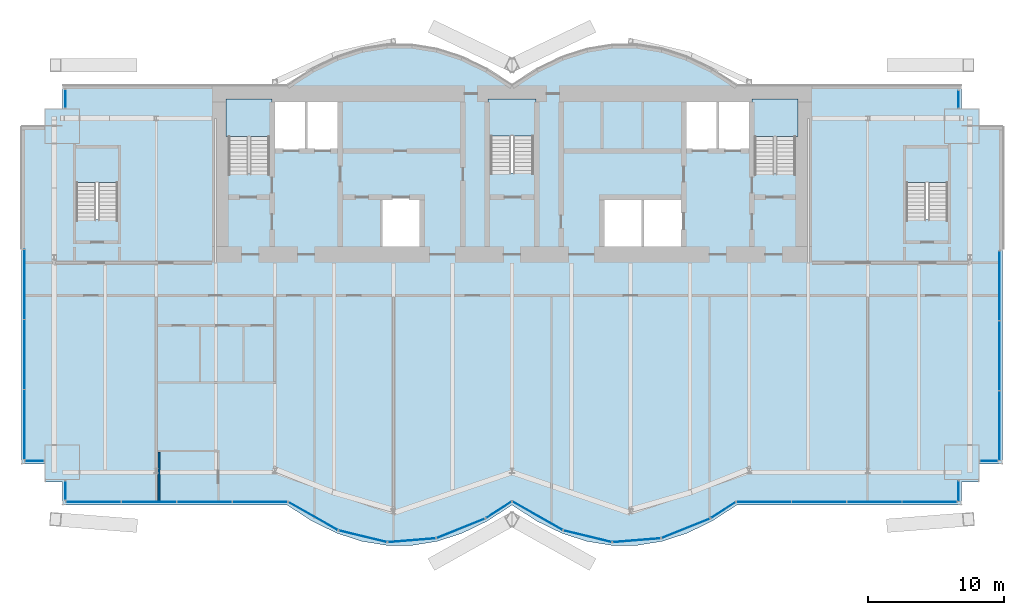
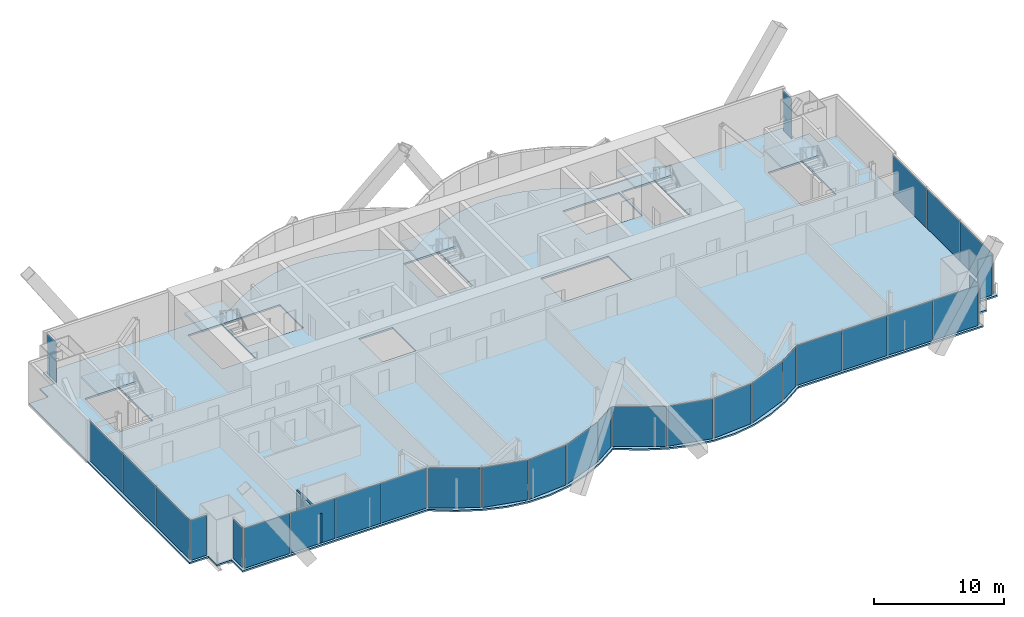
# One storey, part 13 of 20: 30 plates, 6 slabs, 1 wall, 17 elements without a shape of their own.
"""IFC4 building model written with IfcOpenShell, lengths in metres."""

from ifc_helpers import new_model, si_unit, direction, frame, frame_2d, origin, origin_2d, place, context, subcontext, project, spatial, polyline, rectangle, outline, extrude, material, layer, layer_set, type_object, element, aggregate, save


model = new_model("IFC4")

# Units and contexts
model_context = context("Model", 3, precision=1e-05, world=origin(), true_north=direction((0.0, 1.0)))
body_context = subcontext(model_context, "Body", "Model", "MODEL_VIEW")
ifc_project = project(units=[si_unit("LENGTHUNIT", "METRE"), si_unit("AREAUNIT", "SQUARE_METRE"), si_unit("VOLUMEUNIT", "CUBIC_METRE"), si_unit("PLANEANGLEUNIT", "RADIAN"), si_unit("MASSUNIT", "GRAM", prefix="KILO")], contexts=[model_context])

# Site, building, storey
site_placement = place(None, origin())
site = spatial("IfcSite", under=ifc_project, at=site_placement, CompositionType="ELEMENT")
building_placement = place(site_placement, origin())
building = spatial("IfcBuilding", under=site, at=building_placement, Name="Bicima Exchange Tower", CompositionType="ELEMENT")
storey_placement = place(building_placement, frame((0.0, 0.0, 231.89990234375)))
storey = spatial("IfcBuildingStorey", under=building, at=storey_placement, Name="L52", CompositionType="ELEMENT", Elevation=231.89990234375)

# Slab
ifc_material_1 = material(Name="Concrete C40/50", Category="concrete")
ifc_layer_1 = layer(ifc_material_1, 0.14990234375)
ifc_layer_set_1 = layer_set([ifc_layer_1], Name="Concrete C40/50")
slab_type_1 = type_object("IfcSlabType", Name="Composite floor slab 150", PredefinedType="FLOOR", material=ifc_layer_set_1)
slab_1_placement = place(storey_placement, frame((0.0, 0.0, -0.14990234375)))
element("IfcSlab", 1, at=slab_1_placement, inside=storey, type_object=slab_type_1, Name="Floor slab", PredefinedType="FLOOR", context=body_context, shape_type="SweptSolid", body=[
    extrude(outline(polyline([(-36.0, -27.77587890625), (-36.0, -3.0), (-34.300048828125, -3.0), (-34.300048828125, -1.699951171875), (-33.0, -1.699951171875), (-33.0, 0.0), (-16.5, 0.0), (-14.666748046875, 1.185302734375), (-12.833251953125, 2.07421875), (-11.0, 2.666748046875), (-9.166748046875, 2.962890625), (-7.333251953125, 2.962890625), (-5.5, 2.666748046875), (-3.666748046875, 2.07421875), (-1.833251953125, 1.185302734375), (0.0, 0.0), (1.833251953125, 1.185302734375), (3.666748046875, 2.07421875), (5.5, 2.666748046875), (7.333251953125, 2.962890625), (9.166748046875, 2.962890625), (11.0, 2.666748046875), (12.833251953125, 2.07421875), (14.666748046875, 1.185302734375), (16.5, 0.0), (33.0, 0.0), (33.0, -1.699951171875), (34.300048828125, -1.699951171875), (34.300048828125, -3.0), (36.0, -3.0), (36.0, -27.77587890625), (34.300048828125, -27.77587890625), (34.300048828125, -29.075927734375), (33.0, -29.075927734375), (33.0, -30.77587890625), (16.5, -30.77587890625), (14.666748046875, -31.961181640625), (12.833251953125, -32.85009765625), (11.0, -33.442626953125), (9.166748046875, -33.739013671875), (7.333251953125, -33.739013671875), (5.5, -33.442626953125), (3.666748046875, -32.85009765625), (1.833251953125, -31.961181640625), (0.0, -30.77587890625), (-1.833251953125, -31.961181640625), (-3.666748046875, -32.85009765625), (-5.5, -33.442626953125), (-7.333251953125, -33.739013671875), (-9.166748046875, -33.739013671875), (-11.0, -33.442626953125), (-12.833251953125, -32.85009765625), (-14.666748046875, -31.961181640625), (-16.5, -30.77587890625), (-33.0, -30.77587890625), (-33.0, -29.075927734375), (-34.300048828125, -29.075927734375), (-34.300048828125, -27.77587890625), (-36.0, -27.77587890625)]), holes=[polyline([(-6.60009765625, -11.800048828125), (-6.60009765625, -8.199951171875), (-9.60009765625, -8.199951171875), (-9.60009765625, -11.800048828125), (-6.60009765625, -11.800048828125)]), polyline([(-31.97509765625, -9.824951171875), (-28.925048828125, -9.824951171875), (-28.925048828125, -4.625), (-31.97509765625, -4.625), (-31.97509765625, -9.824951171875)]), polyline([(-20.800048828125, -6.449951171875), (-17.800048828125, -6.449951171875), (-17.800048828125, -1.199951171875), (-20.800048828125, -1.199951171875), (-20.800048828125, -6.449951171875)]), polyline([(1.574951171875, -6.39990234375), (1.574951171875, -1.199951171875), (-1.574951171875, -1.199951171875), (-1.574951171875, -6.39990234375), (1.574951171875, -6.39990234375)]), polyline([(-12.60009765625, -4.800048828125), (-12.60009765625, -1.199951171875), (-15.10009765625, -1.199951171875), (-17.60009765625, -1.199951171875), (-17.60009765625, -4.800048828125), (-15.10009765625, -4.800048828125), (-12.60009765625, -4.800048828125)]), polyline([(12.60009765625, -8.199951171875), (9.60009765625, -8.199951171875), (6.60009765625, -8.199951171875), (6.60009765625, -11.800048828125), (9.60009765625, -11.800048828125), (12.60009765625, -11.800048828125), (12.60009765625, -8.199951171875)]), polyline([(28.925048828125, -9.824951171875), (31.97509765625, -9.824951171875), (31.97509765625, -4.625), (28.925048828125, -4.625), (28.925048828125, -9.824951171875)]), polyline([(20.800048828125, -6.449951171875), (20.800048828125, -1.199951171875), (17.800048828125, -1.199951171875), (17.800048828125, -6.449951171875), (20.800048828125, -6.449951171875)]), polyline([(17.60009765625, -4.800048828125), (17.60009765625, -1.199951171875), (15.10009765625, -1.199951171875), (12.60009765625, -1.199951171875), (12.60009765625, -4.800048828125), (15.10009765625, -4.800048828125), (17.60009765625, -4.800048828125)])]), origin(), (0.0, 0.0, 1.0), 0.14990234375),
])

# Curtain wall, plates
ifc_material_2 = material(Name="Anodised bronze aluminium", Category="aluminium")
curtain_wall_type_1 = type_object("IfcCurtainWallType", Name="End face glass wall", PredefinedType="NOTDEFINED", material=ifc_material_2)
curtain_wall_1_placement = place(storey_placement, origin())
curtain_wall_1 = element("IfcCurtainWall", 2, at=curtain_wall_1_placement, inside=storey, type_object=curtain_wall_type_1, Name="End face glass wall L52 run 2", PredefinedType="NOTDEFINED")
ifc_material_3 = material(Name="Bronze tinted glass", Category="glass")
ifc_layer_2 = layer(ifc_material_3, 0.031982421875)
ifc_layer_set_2 = layer_set([ifc_layer_2], Name="Bronze tinted glass")
plate_type_1 = type_object("IfcPlateType", Name="End face glass wall glass panel 32", PredefinedType="CURTAIN_PANEL", material=ifc_layer_set_2)
plate_1_placement = place(storey_placement, frame((-35.77001953125, -14.59765625, 0.0), z_axis=(0.0, 0.0, 1.0), x_axis=(0.0, -1.0, 0.0)))
plate_1 = element("IfcPlate", 3, at=plate_1_placement, type_object=plate_type_1, Name="End face glass wall panel 1.1", PredefinedType="CURTAIN_PANEL", context=body_context, shape_type="SweptSolid", body=[
    extrude(rectangle(XDim=5.0751953125, YDim=0.031982421875, at=origin_2d()), origin(), (0.0, 0.0, 1.0), 3.760009765625),
])
plate_2_placement = place(storey_placement, frame((-35.77001953125, -19.73291015625, 0.0), z_axis=(0.0, 0.0, 1.0), x_axis=(0.0, -1.0, 0.0)))
plate_2 = element("IfcPlate", 4, at=plate_2_placement, type_object=plate_type_1, Name="End face glass wall panel 2.1", PredefinedType="CURTAIN_PANEL", context=body_context, shape_type="SweptSolid", body=[
    extrude(rectangle(XDim=5.0751953125, YDim=0.031982421875, at=origin_2d()), origin(), (0.0, 0.0, 1.0), 3.760009765625),
])

curtain_wall_2_placement = place(storey_placement, origin())
curtain_wall_2 = element("IfcCurtainWall", 5, at=curtain_wall_2_placement, inside=storey, type_object=curtain_wall_type_1, Name="End face glass wall L52 run 19", PredefinedType="NOTDEFINED")
plate_3_placement = place(storey_placement, frame((35.77001953125, -19.81298828125, 0.0), z_axis=(0.0, 0.0, 1.0), x_axis=(0.0, 1.0, 0.0)))
plate_3 = element("IfcPlate", 6, at=plate_3_placement, type_object=plate_type_1, Name="End face glass wall panel 2.1", PredefinedType="CURTAIN_PANEL", context=body_context, shape_type="SweptSolid", body=[
    extrude(rectangle(XDim=5.0751953125, YDim=0.031982421875, at=origin_2d()), origin(), (0.0, 0.0, 1.0), 3.760009765625),
])
plate_4_placement = place(storey_placement, frame((35.77001953125, -14.677734375, 0.0), z_axis=(0.0, 0.0, 1.0), x_axis=(0.0, 1.0, 0.0)))
plate_4 = element("IfcPlate", 7, at=plate_4_placement, type_object=plate_type_1, Name="End face glass wall panel 3.1", PredefinedType="CURTAIN_PANEL", context=body_context, shape_type="SweptSolid", body=[
    extrude(rectangle(XDim=5.0751953125, YDim=0.031982421875, at=origin_2d()), origin(), (0.0, 0.0, 1.0), 3.760009765625),
])

# Plate
ifc_material_4 = material(Name="Bronze anodised aluminium", Category="aluminium")
ifc_layer_3 = layer(ifc_material_4, 0.031982421875)
ifc_layer_set_3 = layer_set([ifc_layer_3], Name="Bronze anodised aluminium")
plate_type_2 = type_object("IfcPlateType", Name="End face glass wall spandrel panel 32", PredefinedType="CURTAIN_PANEL", material=ifc_layer_set_3)
plate_5_placement = place(storey_placement, frame((-35.77001953125, -24.868408203125, 0.0), z_axis=(0.0, 0.0, 1.0), x_axis=(0.0, -1.0, 0.0)))
plate_5 = element("IfcPlate", 8, at=plate_5_placement, type_object=plate_type_2, Name="End face spandrel wall panel 3.1", PredefinedType="CURTAIN_PANEL", context=body_context, shape_type="SweptSolid", body=[
    extrude(rectangle(XDim=5.0751953125, YDim=0.031982421875, at=origin_2d()), origin(), (0.0, 0.0, 1.0), 3.760009765625),
])

aggregate(curtain_wall_1, [plate_1, plate_2, plate_5])

plate_6_placement = place(storey_placement, frame((35.77001953125, -24.9482421875, 0.0), z_axis=(0.0, 0.0, 1.0), x_axis=(0.0, 1.0, 0.0)))
plate_6 = element("IfcPlate", 9, at=plate_6_placement, type_object=plate_type_2, Name="End face spandrel wall panel 1.1", PredefinedType="CURTAIN_PANEL", context=body_context, shape_type="SweptSolid", body=[
    extrude(rectangle(XDim=5.0751953125, YDim=0.031982421875, at=origin_2d()), origin(), (0.0, 0.0, 1.0), 3.760009765625),
])

aggregate(curtain_wall_2, [plate_6, plate_3, plate_4])

# Curtain wall, plate
curtain_wall_type_2 = type_object("IfcCurtainWallType", Name="Front glass wall", PredefinedType="NOTDEFINED", material=ifc_material_2)
curtain_wall_3_placement = place(storey_placement, origin())
curtain_wall_3 = element("IfcCurtainWall", 10, at=curtain_wall_3_placement, inside=storey, type_object=curtain_wall_type_2, Name="Front glass wall L52 run 1", PredefinedType="NOTDEFINED")
ifc_layer_4 = layer(ifc_material_3, 0.031982421875)
ifc_layer_set_4 = layer_set([ifc_layer_4], Name="Bronze tinted glass")
plate_type_3 = type_object("IfcPlateType", Name="Front glass wall glass panel 32", PredefinedType="CURTAIN_PANEL", material=ifc_layer_set_4)
plate_7_placement = place(storey_placement, frame((-32.77001953125, -0.965087890625, 0.0), z_axis=(0.0, 0.0, 1.0), x_axis=(0.0, -1.0, 0.0)))
plate_7 = element("IfcPlate", 11, at=plate_7_placement, type_object=plate_type_3, Name="Front glass wall panel 1.1", PredefinedType="CURTAIN_PANEL", context=body_context, shape_type="SweptSolid", body=[
    extrude(rectangle(XDim=1.35009765625, YDim=0.031982421875, at=origin_2d()), origin(), (0.0, 0.0, 1.0), 3.760009765625),
])
aggregate(curtain_wall_3, [plate_7])

curtain_wall_4_placement = place(storey_placement, origin())
curtain_wall_4 = element("IfcCurtainWall", 12, at=curtain_wall_4_placement, inside=storey, type_object=curtain_wall_type_2, Name="Front glass wall L52 run 3", PredefinedType="NOTDEFINED")
plate_8_placement = place(storey_placement, frame((-35.034912109375, -27.5458984375, 0.0), z_axis=(0.0, 0.0, 1.0), x_axis=(1.0, 0.0, 0.0)))
plate_8 = element("IfcPlate", 13, at=plate_8_placement, type_object=plate_type_3, Name="Front glass wall panel 1.1", PredefinedType="CURTAIN_PANEL", context=body_context, shape_type="SweptSolid", body=[
    extrude(rectangle(XDim=1.35009765625, YDim=0.031982421875, at=origin_2d()), origin(), (0.0, 0.0, 1.0), 3.760009765625),
])
aggregate(curtain_wall_4, [plate_8])

curtain_wall_5_placement = place(storey_placement, origin())
curtain_wall_5 = element("IfcCurtainWall", 14, at=curtain_wall_5_placement, inside=storey, type_object=curtain_wall_type_2, Name="Front glass wall L52 run 4", PredefinedType="NOTDEFINED")
plate_9_placement = place(storey_placement, frame((-32.77001953125, -29.7099609375, 0.0), z_axis=(0.0, 0.0, 1.0), x_axis=(0.0, -1.0, 0.0)))
plate_9 = element("IfcPlate", 15, at=plate_9_placement, type_object=plate_type_3, Name="Front glass wall panel 1.1", PredefinedType="CURTAIN_PANEL", context=body_context, shape_type="SweptSolid", body=[
    extrude(rectangle(XDim=1.39208984375, YDim=0.031982421875, at=origin_2d()), origin(), (0.0, 0.0, 1.0), 3.760009765625),
])
aggregate(curtain_wall_5, [plate_9])

# Curtain wall, plates
curtain_wall_6_placement = place(storey_placement, origin())
curtain_wall_6 = element("IfcCurtainWall", 16, at=curtain_wall_6_placement, inside=storey, type_object=curtain_wall_type_2, Name="Front glass wall L52 run 5", PredefinedType="NOTDEFINED")
plate_10_placement = place(storey_placement, frame((-22.56640625, -30.5458984375, 0.0), z_axis=(0.0, 0.0, 1.0), x_axis=(1.0, 0.0, 0.0)))
plate_10 = element("IfcPlate", 17, at=plate_10_placement, type_object=plate_type_3, Name="Front glass wall panel 3.1", PredefinedType="CURTAIN_PANEL", context=body_context, shape_type="SweptSolid", body=[
    extrude(rectangle(XDim=4.009521484375, YDim=0.031982421875, at=origin_2d()), origin(), (0.0, 0.0, 1.0), 3.760009765625),
])
plate_11_placement = place(storey_placement, frame((-18.496826171875, -30.5458984375, 0.0), z_axis=(0.0, 0.0, 1.0), x_axis=(1.0, 0.0, 0.0)))
plate_11 = element("IfcPlate", 18, at=plate_11_placement, type_object=plate_type_3, Name="Front glass wall panel 4.1", PredefinedType="CURTAIN_PANEL", context=body_context, shape_type="SweptSolid", body=[
    extrude(rectangle(XDim=4.009521484375, YDim=0.031982421875, at=origin_2d()), origin(), (0.0, 0.0, 1.0), 3.760009765625),
])

curtain_wall_7_placement = place(storey_placement, origin())
curtain_wall_7 = element("IfcCurtainWall", 19, at=curtain_wall_7_placement, inside=storey, type_object=curtain_wall_type_2, Name="Front glass wall L52 run 6", PredefinedType="NOTDEFINED")
plate_12_placement = place(storey_placement, frame((-14.589599609375, -31.591064453125, 0.0), z_axis=(0.0, 0.0, 1.0), x_axis=(0.869805110681, -0.493395449343, 0.0)))
plate_12 = element("IfcPlate", 20, at=plate_12_placement, type_object=plate_type_3, Name="Front glass wall panel 1.1", PredefinedType="CURTAIN_PANEL", context=body_context, shape_type="SweptSolid", body=[
    extrude(rectangle(XDim=4.1162109375, YDim=0.031982421875, at=origin_2d()), origin(), (0.0, 0.0, 1.0), 3.760009765625),
])
plate_13_placement = place(storey_placement, frame((-10.94775390625, -33.072509765625, 0.0), z_axis=(0.0, 0.0, 1.0), x_axis=(0.971830343553, -0.235681529503, 0.0)))
plate_13 = element("IfcPlate", 21, at=plate_13_placement, type_object=plate_type_3, Name="Front glass wall panel 1.1", PredefinedType="CURTAIN_PANEL", context=body_context, shape_type="SweptSolid", body=[
    extrude(rectangle(XDim=3.583251953125, YDim=0.031982421875, at=origin_2d()), origin(), (0.0, 0.0, 1.0), 3.760009765625),
])
plate_14_placement = place(storey_placement, frame((-0.97314453125, -31.131103515625, 0.0), z_axis=(0.0, 0.0, 1.0), x_axis=(0.839798994301, 0.542897457326, 0.0)))
plate_14 = element("IfcPlate", 22, at=plate_14_placement, type_object=plate_type_3, Name="Front glass wall panel 1.1", PredefinedType="CURTAIN_PANEL", context=body_context, shape_type="SweptSolid", body=[
    extrude(rectangle(XDim=2.197509765625, YDim=0.031982421875, at=origin_2d()), origin(), (0.0, 0.0, 1.0), 3.760009765625),
])

curtain_wall_8_placement = place(storey_placement, origin())
curtain_wall_8 = element("IfcCurtainWall", 23, at=curtain_wall_8_placement, inside=storey, type_object=curtain_wall_type_2, Name="Front glass wall L52 run 11", PredefinedType="NOTDEFINED")
plate_15_placement = place(storey_placement, frame((9.14892578125, -33.36376953125, 0.0), z_axis=(0.0, 0.0, 1.0), x_axis=(0.99674744821, 0.080588612633, 0.0)))
plate_15 = element("IfcPlate", 24, at=plate_15_placement, type_object=plate_type_3, Name="Front glass wall panel 1.1", PredefinedType="CURTAIN_PANEL", context=body_context, shape_type="SweptSolid", body=[
    extrude(rectangle(XDim=3.486083984375, YDim=0.031982421875, at=origin_2d()), origin(), (0.0, 0.0, 1.0), 3.760009765625),
])
plate_16_placement = place(storey_placement, frame((12.749755859375, -32.489501953125, 0.0), z_axis=(0.0, 0.0, 1.0), x_axis=(0.92714396679, 0.374705304, 0.0)))
plate_16 = element("IfcPlate", 25, at=plate_16_placement, type_object=plate_type_3, Name="Front glass wall panel 1.1", PredefinedType="CURTAIN_PANEL", context=body_context, shape_type="SweptSolid", body=[
    extrude(rectangle(XDim=3.771240234375, YDim=0.031982421875, at=origin_2d()), origin(), (0.0, 0.0, 1.0), 3.760009765625),
])
plate_17_placement = place(storey_placement, frame((15.492919921875, -31.1533203125, 0.0), z_axis=(0.0, 0.0, 1.0), x_axis=(0.839791413941, 0.542909183079, 0.0)))
plate_17 = element("IfcPlate", 26, at=plate_17_placement, type_object=plate_type_3, Name="Front glass wall panel 1.1", PredefinedType="CURTAIN_PANEL", context=body_context, shape_type="SweptSolid", body=[
    extrude(rectangle(XDim=2.11669921875, YDim=0.031982421875, at=origin_2d()), origin(), (0.0, 0.0, 1.0), 3.760009765625),
])

curtain_wall_9_placement = place(storey_placement, origin())
curtain_wall_9 = element("IfcCurtainWall", 27, at=curtain_wall_9_placement, inside=storey, type_object=curtain_wall_type_2, Name="Front glass wall L52 run 16", PredefinedType="NOTDEFINED")
plate_18_placement = place(storey_placement, frame((18.48681640625, -30.5458984375, 0.0), z_axis=(0.0, 0.0, 1.0), x_axis=(1.0, 0.0, 0.0)))
plate_18 = element("IfcPlate", 28, at=plate_18_placement, type_object=plate_type_3, Name="Front glass wall panel 1.1", PredefinedType="CURTAIN_PANEL", context=body_context, shape_type="SweptSolid", body=[
    extrude(rectangle(XDim=3.989501953125, YDim=0.031982421875, at=origin_2d()), origin(), (0.0, 0.0, 1.0), 3.760009765625),
])
plate_19_placement = place(storey_placement, frame((22.536376953125, -30.5458984375, 0.0), z_axis=(0.0, 0.0, 1.0), x_axis=(1.0, 0.0, 0.0)))
plate_19 = element("IfcPlate", 29, at=plate_19_placement, type_object=plate_type_3, Name="Front glass wall panel 2.1", PredefinedType="CURTAIN_PANEL", context=body_context, shape_type="SweptSolid", body=[
    extrude(rectangle(XDim=3.989501953125, YDim=0.031982421875, at=origin_2d()), origin(), (0.0, 0.0, 1.0), 3.760009765625),
])

# Curtain wall, plate
curtain_wall_10_placement = place(storey_placement, origin())
curtain_wall_10 = element("IfcCurtainWall", 30, at=curtain_wall_10_placement, inside=storey, type_object=curtain_wall_type_2, Name="Front glass wall L52 run 17", PredefinedType="NOTDEFINED")
plate_20_placement = place(storey_placement, frame((32.77001953125, -29.75, 0.0), z_axis=(0.0, 0.0, 1.0), x_axis=(0.0, 1.0, 0.0)))
plate_20 = element("IfcPlate", 31, at=plate_20_placement, type_object=plate_type_3, Name="Front glass wall panel 1.1", PredefinedType="CURTAIN_PANEL", context=body_context, shape_type="SweptSolid", body=[
    extrude(rectangle(XDim=1.471923828125, YDim=0.031982421875, at=origin_2d()), origin(), (0.0, 0.0, 1.0), 3.760009765625),
])
aggregate(curtain_wall_10, [plate_20])

curtain_wall_11_placement = place(storey_placement, origin())
curtain_wall_11 = element("IfcCurtainWall", 32, at=curtain_wall_11_placement, inside=storey, type_object=curtain_wall_type_2, Name="Front glass wall L52 run 18", PredefinedType="NOTDEFINED")
plate_21_placement = place(storey_placement, frame((34.9951171875, -27.5458984375, 0.0), z_axis=(0.0, 0.0, 1.0), x_axis=(1.0, 0.0, 0.0)))
plate_21 = element("IfcPlate", 33, at=plate_21_placement, type_object=plate_type_3, Name="Front glass wall panel 1.1", PredefinedType="CURTAIN_PANEL", context=body_context, shape_type="SweptSolid", body=[
    extrude(rectangle(XDim=1.27001953125, YDim=0.031982421875, at=origin_2d()), origin(), (0.0, 0.0, 1.0), 3.760009765625),
])
aggregate(curtain_wall_11, [plate_21])

curtain_wall_12_placement = place(storey_placement, origin())
curtain_wall_12 = element("IfcCurtainWall", 34, at=curtain_wall_12_placement, inside=storey, type_object=curtain_wall_type_2, Name="Front glass wall L52 run 20", PredefinedType="NOTDEFINED")
plate_22_placement = place(storey_placement, frame((32.77001953125, -1.0048828125, 0.0), z_axis=(0.0, 0.0, 1.0), x_axis=(0.0, 1.0, 0.0)))
plate_22 = element("IfcPlate", 35, at=plate_22_placement, type_object=plate_type_3, Name="Front glass wall panel 1.1", PredefinedType="CURTAIN_PANEL", context=body_context, shape_type="SweptSolid", body=[
    extrude(rectangle(XDim=1.27001953125, YDim=0.031982421875, at=origin_2d()), origin(), (0.0, 0.0, 1.0), 3.760009765625),
])
aggregate(curtain_wall_12, [plate_22])

# Plate
ifc_layer_5 = layer(ifc_material_4, 0.031982421875)
ifc_layer_set_5 = layer_set([ifc_layer_5], Name="Bronze anodised aluminium")
plate_type_4 = type_object("IfcPlateType", Name="Front glass wall spandrel panel 32", PredefinedType="CURTAIN_PANEL", material=ifc_layer_set_5)
plate_23_placement = place(storey_placement, frame((-30.705322265625, -30.5458984375, 0.0), z_axis=(0.0, 0.0, 1.0), x_axis=(1.0, 0.0, 0.0)))
plate_23 = element("IfcPlate", 36, at=plate_23_placement, type_object=plate_type_4, Name="Front spandrel wall panel 1.1", PredefinedType="CURTAIN_PANEL", context=body_context, shape_type="SweptSolid", body=[
    extrude(rectangle(XDim=4.009521484375, YDim=0.031982421875, at=origin_2d()), origin(), (0.0, 0.0, 1.0), 3.760009765625),
])

plate_24_placement = place(storey_placement, frame((-26.6357421875, -30.5458984375, 0.0), z_axis=(0.0, 0.0, 1.0), x_axis=(1.0, 0.0, 0.0)))
plate_24 = element("IfcPlate", 37, at=plate_24_placement, type_object=plate_type_4, Name="Front spandrel wall panel 2.1", PredefinedType="CURTAIN_PANEL", context=body_context, shape_type="SweptSolid", body=[
    extrude(rectangle(XDim=4.009521484375, YDim=0.031982421875, at=origin_2d()), origin(), (0.0, 0.0, 1.0), 3.760009765625),
])

aggregate(curtain_wall_6, [plate_23, plate_24, plate_10, plate_11])

plate_25_placement = place(storey_placement, frame((-7.35107421875, -33.36376953125, 0.0), z_axis=(0.0, 0.0, 1.0), x_axis=(0.99674744821, 0.080588612633, 0.0)))
plate_25 = element("IfcPlate", 38, at=plate_25_placement, type_object=plate_type_4, Name="Front spandrel wall panel 1.1", PredefinedType="CURTAIN_PANEL", context=body_context, shape_type="SweptSolid", body=[
    extrude(rectangle(XDim=3.486083984375, YDim=0.031982421875, at=origin_2d()), origin(), (0.0, 0.0, 1.0), 3.760009765625),
])

plate_26_placement = place(storey_placement, frame((-3.750244140625, -32.489501953125, 0.0), z_axis=(0.0, 0.0, 1.0), x_axis=(0.92714396679, 0.374705304, 0.0)))
plate_26 = element("IfcPlate", 39, at=plate_26_placement, type_object=plate_type_4, Name="Front spandrel wall panel 1.1", PredefinedType="CURTAIN_PANEL", context=body_context, shape_type="SweptSolid", body=[
    extrude(rectangle(XDim=3.771240234375, YDim=0.031982421875, at=origin_2d()), origin(), (0.0, 0.0, 1.0), 3.760009765625),
])

aggregate(curtain_wall_7, [plate_12, plate_13, plate_25, plate_26, plate_14])

plate_27_placement = place(storey_placement, frame((1.876220703125, -31.569091796875, 0.0), z_axis=(0.0, 0.0, 1.0), x_axis=(0.869274147378, -0.494330311331, 0.0)))
plate_27 = element("IfcPlate", 40, at=plate_27_placement, type_object=plate_type_4, Name="Front spandrel wall panel 1.1", PredefinedType="CURTAIN_PANEL", context=body_context, shape_type="SweptSolid", body=[
    extrude(rectangle(XDim=4.197021484375, YDim=0.031982421875, at=origin_2d()), origin(), (0.0, 0.0, 1.0), 3.760009765625),
])

plate_28_placement = place(storey_placement, frame((5.55224609375, -33.072509765625, 0.0), z_axis=(0.0, 0.0, 1.0), x_axis=(0.971830343553, -0.235681529503, 0.0)))
plate_28 = element("IfcPlate", 41, at=plate_28_placement, type_object=plate_type_4, Name="Front spandrel wall panel 1.1", PredefinedType="CURTAIN_PANEL", context=body_context, shape_type="SweptSolid", body=[
    extrude(rectangle(XDim=3.583251953125, YDim=0.031982421875, at=origin_2d()), origin(), (0.0, 0.0, 1.0), 3.760009765625),
])

aggregate(curtain_wall_8, [plate_27, plate_28, plate_15, plate_16, plate_17])

plate_29_placement = place(storey_placement, frame((26.585693359375, -30.5458984375, 0.0), z_axis=(0.0, 0.0, 1.0), x_axis=(1.0, 0.0, 0.0)))
plate_29 = element("IfcPlate", 42, at=plate_29_placement, type_object=plate_type_4, Name="Front spandrel wall panel 3.1", PredefinedType="CURTAIN_PANEL", context=body_context, shape_type="SweptSolid", body=[
    extrude(rectangle(XDim=3.989501953125, YDim=0.031982421875, at=origin_2d()), origin(), (0.0, 0.0, 1.0), 3.760009765625),
])

plate_30_placement = place(storey_placement, frame((30.63525390625, -30.5458984375, 0.0), z_axis=(0.0, 0.0, 1.0), x_axis=(1.0, 0.0, 0.0)))
plate_30 = element("IfcPlate", 43, at=plate_30_placement, type_object=plate_type_4, Name="Front spandrel wall panel 4.1", PredefinedType="CURTAIN_PANEL", context=body_context, shape_type="SweptSolid", body=[
    extrude(rectangle(XDim=3.989501953125, YDim=0.031982421875, at=origin_2d()), origin(), (0.0, 0.0, 1.0), 3.760009765625),
])

aggregate(curtain_wall_9, [plate_18, plate_19, plate_29, plate_30])

# Stair, slab
ifc_material_5 = material(Name="Concrete C50/60", Category="concrete")
stair_type_1 = type_object("IfcStairType", Name="Exit stair", PredefinedType="HALF_TURN_STAIR", material=ifc_material_5)
stair_1_placement = place(storey_placement, origin())
stair_1 = element("IfcStair", 44, at=stair_1_placement, inside=storey, type_object=stair_type_1, Name="L52 West exit stair", PredefinedType="HALF_TURN_STAIR")
ifc_layer_6 = layer(ifc_material_5, 0.199951171875)
ifc_layer_set_6 = layer_set([ifc_layer_6], Name="Concrete C50/60")
slab_type_2 = type_object("IfcSlabType", Name="Stair landing slab", PredefinedType="LANDING", material=ifc_layer_set_6)
slab_2_placement = place(storey_placement, frame((0.0, 0.0, 1.85009765625)))
slab_2 = element("IfcSlab", 45, at=slab_2_placement, type_object=slab_type_2, Name="ST-W landing 1", PredefinedType="LANDING", context=body_context, shape_type="SweptSolid", body=[
    extrude(outline(polyline([(-17.60009765625, -3.75), (-17.60009765625, -1.0), (-21.0, -1.0), (-21.0, -3.75), (-17.60009765625, -3.75)])), origin(), (0.0, 0.0, 1.0), 0.199951171875),
])
aggregate(stair_1, [slab_2])

stair_type_2 = type_object("IfcStairType", Name="Exit stair 1500", PredefinedType="HALF_TURN_STAIR", material=ifc_material_5)
stair_2_placement = place(storey_placement, origin())
stair_2 = element("IfcStair", 46, at=stair_2_placement, inside=storey, type_object=stair_type_2, Name="L52 Central exit stair", PredefinedType="HALF_TURN_STAIR")
slab_3_placement = place(storey_placement, frame((0.0, 0.0, 1.85009765625)))
slab_3 = element("IfcSlab", 47, at=slab_3_placement, type_object=slab_type_2, Name="ST-C landing 1", PredefinedType="LANDING", context=body_context, shape_type="SweptSolid", body=[
    extrude(outline(polyline([(1.77490234375, -3.699951171875), (1.77490234375, -1.0), (-1.77490234375, -1.0), (-1.77490234375, -3.699951171875), (1.77490234375, -3.699951171875)])), origin(), (0.0, 0.0, 1.0), 0.199951171875),
])
aggregate(stair_2, [slab_3])

stair_3_placement = place(storey_placement, origin())
stair_3 = element("IfcStair", 48, at=stair_3_placement, inside=storey, type_object=stair_type_1, Name="L52 East exit stair", PredefinedType="HALF_TURN_STAIR")
slab_4_placement = place(storey_placement, frame((0.0, 0.0, 1.85009765625)))
slab_4 = element("IfcSlab", 49, at=slab_4_placement, type_object=slab_type_2, Name="ST-E landing 1", PredefinedType="LANDING", context=body_context, shape_type="SweptSolid", body=[
    extrude(outline(polyline([(21.0, -3.75), (21.0, -1.0), (17.60009765625, -1.0), (17.60009765625, -3.75), (21.0, -3.75)])), origin(), (0.0, 0.0, 1.0), 0.199951171875),
])
aggregate(stair_3, [slab_4])

stair_4_placement = place(storey_placement, origin())
stair_4 = element("IfcStair", 50, at=stair_4_placement, inside=storey, type_object=stair_type_1, Name="L52 West end exit stair", PredefinedType="HALF_TURN_STAIR")
slab_5_placement = place(storey_placement, frame((0.0, 0.0, 1.85009765625)))
slab_5 = element("IfcSlab", 51, at=slab_5_placement, type_object=slab_type_2, Name="ST-WW landing 1", PredefinedType="LANDING", context=body_context, shape_type="SweptSolid", body=[
    extrude(outline(polyline([(-28.72509765625, -7.125), (-28.72509765625, -4.425048828125), (-32.175048828125, -4.425048828125), (-32.175048828125, -7.125), (-28.72509765625, -7.125)])), origin(), (0.0, 0.0, 1.0), 0.199951171875),
])
aggregate(stair_4, [slab_5])

stair_5_placement = place(storey_placement, origin())
stair_5 = element("IfcStair", 52, at=stair_5_placement, inside=storey, type_object=stair_type_1, Name="L52 East end exit stair", PredefinedType="HALF_TURN_STAIR")
slab_6_placement = place(storey_placement, frame((0.0, 0.0, 1.85009765625)))
slab_6 = element("IfcSlab", 53, at=slab_6_placement, type_object=slab_type_2, Name="ST-EE landing 1", PredefinedType="LANDING", context=body_context, shape_type="SweptSolid", body=[
    extrude(outline(polyline([(32.175048828125, -7.125), (32.175048828125, -4.425048828125), (28.72509765625, -4.425048828125), (28.72509765625, -7.125), (32.175048828125, -7.125)])), origin(), (0.0, 0.0, 1.0), 0.199951171875),
])
aggregate(stair_5, [slab_6])

# Wall
ifc_material_6 = material(Name="Gypsum board partition")
ifc_layer_7 = layer(ifc_material_6, 0.14990234375)
ifc_layer_set_7 = layer_set([ifc_layer_7], Name="Gypsum board partition")
wall_type = type_object("IfcWallType", Name="Gypsum partition 150", PredefinedType="PARTITIONING", material=ifc_layer_set_7)
wall_placement = place(storey_placement, frame((-25.89990234375, -30.570068359375, 0.0), z_axis=(0.0, 0.0, 1.0), x_axis=(0.0, 1.0, 0.0)))
element("IfcWall", 54, at=wall_placement, inside=storey, type_object=wall_type, Name="partition wall 16", PredefinedType="PARTITIONING", context=body_context, shape_type="SweptSolid", body=[
    extrude(rectangle(XDim=3.68505859375, YDim=0.14990234375, at=frame_2d((1.842529296875, 0.0))), origin(), (0.0, 0.0, 1.0), 2.790283203125),
])

save(model, "model.ifc")
